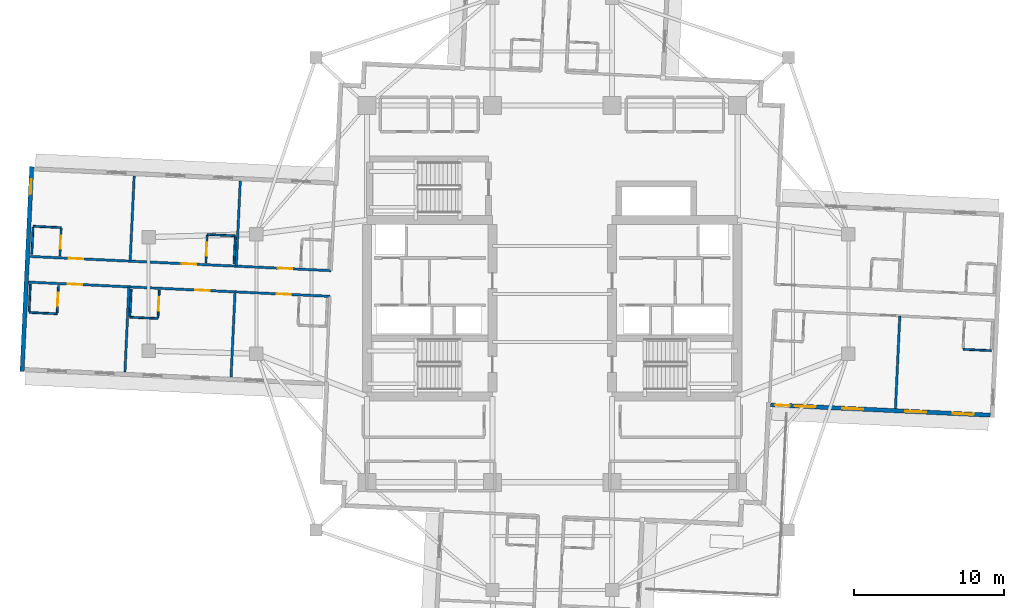
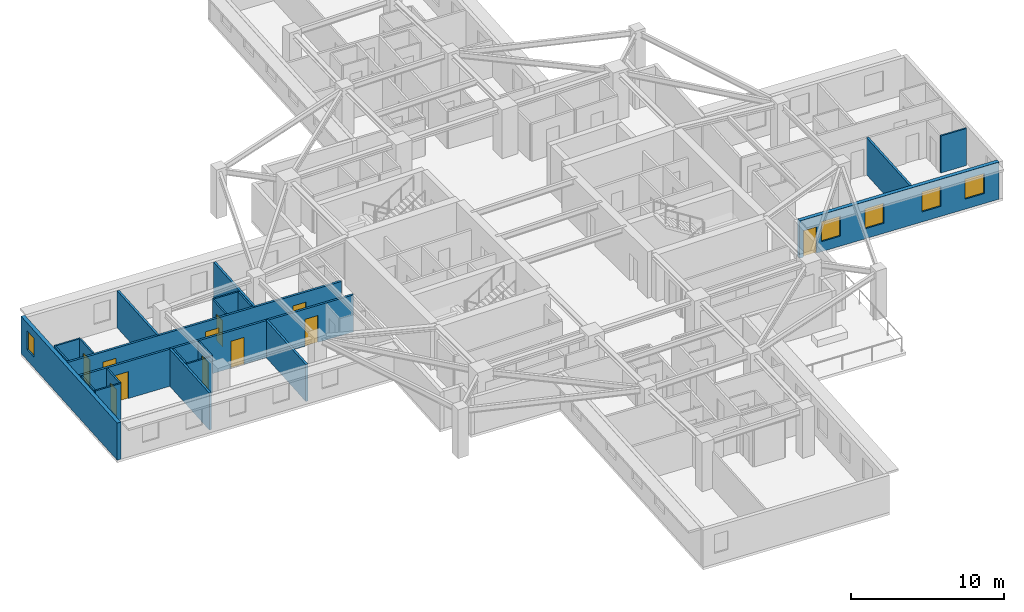
# One storey, part 5 of 14: 22 walls, 11 doors, 5 windows, 16 openings.
"""IFC4 building model written with IfcOpenShell, lengths in metres."""

import ifcopenshell
import ifcopenshell.guid

model = None  # the IFC model being written
_history = None  # IfcOwnerHistory: only IFC2X3 demands one
_inside = {}  # id of a spatial element -> (the spatial element, [elements in it])
_under = {}  # id of a project, library or spatial element -> (it, [spatial elements below it])
_declared = {}  # id of a project -> (the project, [libraries it declares])
_typed = {}  # id of a type object -> (the type object, [elements of that type])
_made_of = {}  # id of a material, layer set ... -> (it, [elements and type objects made of it])


def new_model(schema):
    """Start an empty IFC model of exactly this schema.

    Asked for "IFC4X3", IfcOpenShell would pick the latest addendum, in which some entities
    have other attributes; the version numbers below select the first issue.
    IFC2X3 requires an IfcOwnerHistory on every rooted entity: one is made here for all.
    """
    global model, _history
    if schema == "IFC4X3":
        model = ifcopenshell.file(schema_version=(4, 3, 0, 0))
    else:
        model = ifcopenshell.file(schema=schema)
    _inside.clear()
    _under.clear()
    _declared.clear()
    _typed.clear()
    _made_of.clear()
    _history = None
    if model.schema == "IFC2X3":
        org = make("IfcOrganization", Name="unknown")
        user = make(
            "IfcPersonAndOrganization",
            ThePerson=make("IfcPerson", FamilyName="unknown"),
            TheOrganization=org,
        )
        app = make(
            "IfcApplication",
            ApplicationDeveloper=org,
            Version="unknown",
            ApplicationFullName="unknown",
            ApplicationIdentifier="unknown",
        )
        _history = make(
            "IfcOwnerHistory",
            OwningUser=user,
            OwningApplication=app,
            ChangeAction="ADDED",
            CreationDate=0,
        )
    return model


def make(cls, **values):
    """One entity of the class cls with the attributes given. An attribute that is None is left unset."""
    return model.create_entity(
        cls, **{name: value for name, value in values.items() if value is not None}
    )


def rooted(cls, **values):
    """An entity with a GlobalId (a new one), such as an element, a storey or a relation."""
    return make(cls, GlobalId=ifcopenshell.guid.new(), OwnerHistory=_history, **values)


def si_unit(unit_type, name, prefix=None):
    """IfcSIUnit, for example si_unit("LENGTHUNIT", "METRE", prefix="MILLI")."""
    return make("IfcSIUnit", UnitType=unit_type, Prefix=prefix, Name=name)


def assignment(units):
    """IfcUnitAssignment: the units of a project."""
    return None if units is None else make("IfcUnitAssignment", Units=units)


def point(xyz):
    """IfcCartesianPoint."""
    return None if xyz is None else make("IfcCartesianPoint", Coordinates=xyz)


def direction(xyz):
    """IfcDirection."""
    return None if xyz is None else make("IfcDirection", DirectionRatios=xyz)


def frame(location, z_axis=None, x_axis=None):
    """IfcAxis2Placement3D, a coordinate frame: its origin and axes. An axis left out is left unset."""
    return make(
        "IfcAxis2Placement3D",
        Location=point(location),
        Axis=direction(z_axis),
        RefDirection=direction(x_axis),
    )


def frame_2d(location, x_axis=None):
    """IfcAxis2Placement2D, a coordinate frame in the plane: its origin and x axis."""
    return make(
        "IfcAxis2Placement2D", Location=point(location), RefDirection=direction(x_axis)
    )


def origin():
    """The frame at (0, 0, 0) with its axes left unset."""
    return frame((0.0, 0.0, 0.0))


def place(relative_to, where):
    """IfcLocalPlacement: puts the frame where relative to a parent placement (None: the world)."""
    return make(
        "IfcLocalPlacement", PlacementRelTo=relative_to, RelativePlacement=where
    )


def context(
    kind, dimensions, precision=None, world=None, true_north=None, identifier=None
):
    """IfcGeometricRepresentationContext, for example the 3D "Model" context."""
    return make(
        "IfcGeometricRepresentationContext",
        ContextIdentifier=identifier,
        ContextType=kind,
        CoordinateSpaceDimension=dimensions,
        Precision=precision,
        WorldCoordinateSystem=world,
        TrueNorth=true_north,
    )


def subcontext(parent, identifier, kind, view, scale=None):
    """IfcGeometricRepresentationSubContext, for example "Body" below "Model"."""
    return make(
        "IfcGeometricRepresentationSubContext",
        ContextIdentifier=identifier,
        ContextType=kind,
        ParentContext=parent,
        TargetScale=scale,
        TargetView=view,
    )


def project(units=None, contexts=None):
    """IfcProject with its units and contexts."""
    return rooted(
        "IfcProject",
        Name="project",
        RepresentationContexts=contexts,
        UnitsInContext=assignment(units),
    )


def spatial(cls, under=None, at=None, **own):
    """A site, building, storey or space (cls), placed at a placement, below another one or the project."""
    s = rooted(cls, ObjectPlacement=at, **own)
    if under is not None:
        _under.setdefault(under.id(), (under, []))[1].append(s)
    return s


def profile(cls, at=None, kind="AREA", **sizes):
    """A parametric profile (cls). Its sizes go by their IFC names, for example OverallWidth=200.0."""
    return make(cls, ProfileType=kind, Position=at, **sizes)


def rectangle(**sizes):
    """IfcRectangleProfileDef."""
    return profile("IfcRectangleProfileDef", **sizes)


def extrude(swept, where, along, depth):
    """IfcExtrudedAreaSolid: the profile swept, set in the frame where, extruded along a direction by depth."""
    return make(
        "IfcExtrudedAreaSolid",
        SweptArea=swept,
        Position=where,
        ExtrudedDirection=direction(along),
        Depth=depth,
    )


def shape(context_of_items, identifier, shape_type, items):
    """IfcShapeRepresentation: the items that make up one representation, for example the "Body"."""
    return make(
        "IfcShapeRepresentation",
        ContextOfItems=context_of_items,
        RepresentationIdentifier=identifier,
        RepresentationType=shape_type,
        Items=items,
    )


def material(Name=None, Category=None):
    """IfcMaterial."""
    return make("IfcMaterial", Name=Name, Category=Category)


def layer(
    of_material, thickness, ventilated=None, Name=None, Category=None, Priority=None
):
    """IfcMaterialLayer: one layer of a wall or slab, of a material (None: an air gap)."""
    return make(
        "IfcMaterialLayer",
        Material=of_material,
        LayerThickness=thickness,
        IsVentilated=ventilated,
        Name=Name,
        Category=Category,
        Priority=Priority,
    )


def layer_set(layers, Name=None):
    """IfcMaterialLayerSet."""
    return make("IfcMaterialLayerSet", MaterialLayers=layers, LayerSetName=Name)


def made_of(thing, what):
    """Note that an element or type object is made of a material, layer set ...; save() writes the relation."""
    if what is not None:
        _made_of.setdefault(what.id(), (what, []))[1].append(thing)
    return thing


def type_object(cls, material=None, **own):
    """A type object (cls), such as IfcWallType, which elements share."""
    return made_of(rooted(cls, **own), material)


def element(
    cls,
    number,
    at=None,
    inside=None,
    cuts=None,
    type_object=None,
    material=None,
    context=None,
    identifier="Body",
    shape_type=None,
    held_by="IfcProductDefinitionShape",
    body=None,
    shapes=None,
    **own,
):
    """One element of the class cls, such as IfcWall. Its Tag is "e" and its number.

    at: its placement. inside: the storey or other place that contains it. cuts: it is an
    opening in that element (IfcRelVoidsElement). A single representation is given by context,
    identifier, shape_type and body (its items); several are given by shapes. held_by: the class
    of the entity that holds the representations. save() writes the other relations.
    """
    e = rooted(cls, Tag="e%d" % number, ObjectPlacement=at, **own)
    if body is not None:
        shapes = [shape(context, identifier, shape_type, body)]
    if shapes is not None:
        e.Representation = make(held_by, Representations=shapes)
    if inside is not None:
        _inside.setdefault(inside.id(), (inside, []))[1].append(e)
    if cuts is not None:
        rooted(
            "IfcRelVoidsElement", RelatingBuildingElement=cuts, RelatedOpeningElement=e
        )
    if type_object is not None:
        _typed.setdefault(type_object.id(), (type_object, []))[1].append(e)
    return made_of(e, material)


def fill(opening, filler):
    """IfcRelFillsElement: the door or window that sits in an opening."""
    return rooted(
        "IfcRelFillsElement",
        RelatingOpeningElement=opening,
        RelatedBuildingElement=filler,
    )


def aggregate(whole, parts):
    """IfcRelAggregates: a whole, such as a stair, and the parts it consists of."""
    return rooted("IfcRelAggregates", RelatingObject=whole, RelatedObjects=parts)


def save(model, path):
    """Write the relations noted so far, then the file.

    IfcRelAggregates (storeys below a building ...), IfcRelContainedInSpatialStructure (elements
    in a storey), IfcRelDefinesByType, IfcRelAssociatesMaterial and IfcRelDeclares: one each for
    every whole, place, type object, material and project.
    """
    for whole, parts in _under.values():
        aggregate(whole, parts)
    for where, things in _inside.values():
        rooted(
            "IfcRelContainedInSpatialStructure",
            RelatedElements=things,
            RelatingStructure=where,
        )
    for kind, things in _typed.values():
        rooted("IfcRelDefinesByType", RelatedObjects=things, RelatingType=kind)
    for what, things in _made_of.values():
        rooted("IfcRelAssociatesMaterial", RelatedObjects=things, RelatingMaterial=what)
    for by, libraries in _declared.values():
        rooted("IfcRelDeclares", RelatingContext=by, RelatedDefinitions=libraries)
    model.write(path)


model = new_model("IFC4")

# Units and contexts
model_context = context("Model", 3, precision=1e-05, world=origin(), true_north=direction((0.0, 1.0)))
body_context = subcontext(model_context, "Body", "Model", "MODEL_VIEW")
ifc_project = project(units=[si_unit("LENGTHUNIT", "METRE"), si_unit("AREAUNIT", "SQUARE_METRE"), si_unit("VOLUMEUNIT", "CUBIC_METRE"), si_unit("PLANEANGLEUNIT", "RADIAN"), si_unit("MASSUNIT", "GRAM", prefix="KILO")], contexts=[model_context])

# Site, building, storey
site_placement = place(None, origin())
site = spatial("IfcSite", under=ifc_project, at=site_placement, CompositionType="ELEMENT")
building_placement = place(site_placement, origin())
building = spatial("IfcBuilding", under=site, at=building_placement, Name="Qingluan Cross Belvedere", CompositionType="ELEMENT")
storey_placement = place(building_placement, frame((0.0, 0.0, 172.199951171875)))
storey = spatial("IfcBuildingStorey", under=building, at=storey_placement, Name="L43", CompositionType="ELEMENT", Elevation=172.199951171875)

# Wall
ifc_material_1 = material(Name="Gypsum plasterboard on steel stud acoustic partition", Category="steel")
ifc_layer_1 = layer(ifc_material_1, 0.159912109375, Name="CorridorPartition_160")
ifc_layer_set_1 = layer_set([ifc_layer_1], Name="Gypsum plasterboard on steel stud acoustic partition")
wall_type_1 = type_object("IfcWallType", Name="CorridorPartition_160", PredefinedType="PARTITIONING", material=ifc_layer_set_1)
wall_1_placement = place(storey_placement, frame((23.2412109375, -1.4765625, 0.0), z_axis=(0.0, 0.0, 1.0), x_axis=(-0.047078081142, -0.998891212433, 0.0)))
element("IfcWall", 1, at=wall_1_placement, inside=storey, type_object=wall_type_1, Name="Partition L43:E:d1_0", PredefinedType="PARTITIONING", context=body_context, shape_type="SweptSolid", body=[
    extrude(rectangle(XDim=6.19189453125, YDim=0.159912109375, at=frame_2d((3.095947265625, 0.0))), origin(), (0.0, 0.0, 1.0), 2.9599609375),
])

# Wall, openings, doors
wall_2_placement = place(storey_placement, frame((-14.79296875, 1.55859375, 0.0), z_axis=(0.0, 0.0, 1.0), x_axis=(-0.998889926753, 0.047105352469, 0.0)))
wall_2 = element("IfcWall", 2, at=wall_2_placement, inside=storey, type_object=wall_type_1, Name="Partition L43:W:c0", PredefinedType="PARTITIONING", context=body_context, shape_type="SweptSolid", body=[
    extrude(rectangle(XDim=20.18212890625, YDim=0.159912109375, at=frame_2d((10.091064453125, 0.0))), origin(), (0.0, 0.0, 1.0), 2.9599609375),
])
opening_1_placement = place(wall_2_placement, frame((2.614990234375, 0.0, 0.0)))
opening_1 = element("IfcOpeningElement", 3, at=opening_1_placement, cuts=wall_2, Name="Opening GD-10", PredefinedType="OPENING", context=body_context, shape_type="SweptSolid", body=[
    extrude(rectangle(XDim=0.9599609375, YDim=2.14990234375, at=frame_2d((0.47998046875, 1.074951171875))), frame((0.0, 0.08984375, 0.0), z_axis=(0.0, -1.0, 0.0), x_axis=(1.0, 0.0, 0.0)), (0.0, 0.0, 1.0), 0.179931640625),
])
opening_2_placement = place(wall_2_placement, frame((9.04296875, 0.0, 0.0)))
opening_2 = element("IfcOpeningElement", 4, at=opening_2_placement, cuts=wall_2, Name="Opening GD-10", PredefinedType="OPENING", context=body_context, shape_type="SweptSolid", body=[
    extrude(rectangle(XDim=0.9599609375, YDim=2.14990234375, at=frame_2d((0.47998046875, 1.074951171875))), frame((0.0, 0.08984375, 0.0), z_axis=(0.0, -1.0, 0.0), x_axis=(1.0, 0.0, 0.0)), (0.0, 0.0, 1.0), 0.179931640625),
])
opening_3_placement = place(wall_2_placement, frame((16.594970703125, 0.0, 0.0)))
opening_3 = element("IfcOpeningElement", 5, at=opening_3_placement, cuts=wall_2, Name="Opening GD-10", PredefinedType="OPENING", context=body_context, shape_type="SweptSolid", body=[
    extrude(rectangle(XDim=0.9599609375, YDim=2.14990234375, at=frame_2d((0.47998046875, 1.074951171875))), frame((0.0, 0.08984375, 0.0), z_axis=(0.0, -1.0, 0.0), x_axis=(1.0, 0.0, 0.0)), (0.0, 0.0, 1.0), 0.179931640625),
])
ifc_material_2 = material(Name="Timber oak fire-rated acoustic guestroom door", Category="wood")
door_type_1 = type_object("IfcDoorType", Name="GuestEntryDoor_FD60", OperationType="NOTDEFINED", PredefinedType="DOOR", material=ifc_material_2)
door_1_placement = place(opening_1_placement, origin())
door_1 = element("IfcDoor", 6, at=door_1_placement, inside=storey, type_object=door_type_1, Name="Guest entry fire door 4305", OperationType="SINGLE_SWING_RIGHT", OverallHeight=2.14990234375, OverallWidth=0.9599609375, PredefinedType="DOOR", context=body_context, shape_type="SweptSolid", body=[
    extrude(rectangle(XDim=0.9599609375, YDim=2.14990234375, at=frame_2d((0.47998046875, 1.074951171875))), frame((0.0, 0.02490234375, 0.0), z_axis=(0.0, -1.0, 0.0), x_axis=(1.0, 0.0, 0.0)), (0.0, 0.0, 1.0), 0.050048828125),
])
fill(opening_1, door_1)
door_2_placement = place(opening_2_placement, origin())
door_2 = element("IfcDoor", 7, at=door_2_placement, inside=storey, type_object=door_type_1, Name="Guest entry fire door 4306", OperationType="SINGLE_SWING_RIGHT", OverallHeight=2.14990234375, OverallWidth=0.9599609375, PredefinedType="DOOR", context=body_context, shape_type="SweptSolid", body=[
    extrude(rectangle(XDim=0.9599609375, YDim=2.14990234375, at=frame_2d((0.47998046875, 1.074951171875))), frame((0.0, 0.02490234375, 0.0), z_axis=(0.0, -1.0, 0.0), x_axis=(1.0, 0.0, 0.0)), (0.0, 0.0, 1.0), 0.050048828125),
])
fill(opening_2, door_2)
door_3_placement = place(opening_3_placement, origin())
door_3 = element("IfcDoor", 8, at=door_3_placement, inside=storey, type_object=door_type_1, Name="Guest entry fire door 4307", OperationType="SINGLE_SWING_RIGHT", OverallHeight=2.14990234375, OverallWidth=0.9599609375, PredefinedType="DOOR", context=body_context, shape_type="SweptSolid", body=[
    extrude(rectangle(XDim=0.9599609375, YDim=2.14990234375, at=frame_2d((0.47998046875, 1.074951171875))), frame((0.0, 0.02490234375, 0.0), z_axis=(0.0, -1.0, 0.0), x_axis=(1.0, 0.0, 0.0)), (0.0, 0.0, 1.0), 0.050048828125),
])
fill(opening_3, door_3)

# Walls
wall_3_placement = place(storey_placement, frame((-21.138916015625, 1.85791015625, 0.0), z_axis=(0.0, 0.0, 1.0), x_axis=(0.047102133785, 0.998890078534, 0.0)))
element("IfcWall", 9, at=wall_3_placement, inside=storey, type_object=wall_type_1, Name="Partition L43:W:d0_0", PredefinedType="PARTITIONING", context=body_context, shape_type="SweptSolid", body=[
    extrude(rectangle(XDim=5.7119140625, YDim=0.159912109375, at=frame_2d((2.85595703125, 0.0))), origin(), (0.0, 0.0, 1.0), 2.9599609375),
])
wall_4_placement = place(storey_placement, frame((-28.236083984375, 2.1923828125, 0.0), z_axis=(0.0, 0.0, 1.0), x_axis=(0.047100122846, 0.998890173356, 0.0)))
element("IfcWall", 10, at=wall_4_placement, inside=storey, type_object=wall_type_1, Name="Partition L43:W:d0_1", PredefinedType="PARTITIONING", context=body_context, shape_type="SweptSolid", body=[
    extrude(rectangle(XDim=5.712158203125, YDim=0.159912109375, at=frame_2d((2.85595703125, 0.0))), origin(), (0.0, 0.0, 1.0), 2.9599609375),
])

# Wall, openings, doors
wall_5_placement = place(storey_placement, frame((-14.8740234375, -0.159423828125, 0.0), z_axis=(0.0, 0.0, 1.0), x_axis=(-0.998889926753, 0.047105352469, 0.0)))
wall_5 = element("IfcWall", 11, at=wall_5_placement, inside=storey, type_object=wall_type_1, Name="Partition L43:W:c1", PredefinedType="PARTITIONING", context=body_context, shape_type="SweptSolid", body=[
    extrude(rectangle(XDim=20.18212890625, YDim=0.159912109375, at=frame_2d((10.091064453125, 0.0))), origin(), (0.0, 0.0, 1.0), 2.9599609375),
])
opening_4_placement = place(wall_5_placement, frame((2.614990234375, 0.0, 0.0)))
opening_4 = element("IfcOpeningElement", 12, at=opening_4_placement, cuts=wall_5, Name="Opening GD-10", PredefinedType="OPENING", context=body_context, shape_type="SweptSolid", body=[
    extrude(rectangle(XDim=0.9599609375, YDim=2.14990234375, at=frame_2d((0.47998046875, 1.074951171875))), frame((0.0, 0.08984375, 0.0), z_axis=(0.0, -1.0, 0.0), x_axis=(1.0, 0.0, 0.0)), (0.0, 0.0, 1.0), 0.179931640625),
])
opening_5_placement = place(wall_5_placement, frame((8.054931640625, 0.0, 0.0)))
opening_5 = element("IfcOpeningElement", 13, at=opening_5_placement, cuts=wall_5, Name="Opening GD-10", PredefinedType="OPENING", context=body_context, shape_type="SweptSolid", body=[
    extrude(rectangle(XDim=0.9599609375, YDim=2.14990234375, at=frame_2d((0.47998046875, 1.074951171875))), frame((0.0, 0.08984375, 0.0), z_axis=(0.0, -1.0, 0.0), x_axis=(1.0, 0.0, 0.0)), (0.0, 0.0, 1.0), 0.179931640625),
])
opening_6_placement = place(wall_5_placement, frame((16.594970703125, 0.0, 0.0)))
opening_6 = element("IfcOpeningElement", 14, at=opening_6_placement, cuts=wall_5, Name="Opening GD-10", PredefinedType="OPENING", context=body_context, shape_type="SweptSolid", body=[
    extrude(rectangle(XDim=0.9599609375, YDim=2.14990234375, at=frame_2d((0.47998046875, 1.074951171875))), frame((0.0, 0.08984375, 0.0), z_axis=(0.0, -1.0, 0.0), x_axis=(1.0, 0.0, 0.0)), (0.0, 0.0, 1.0), 0.179931640625),
])
door_4_placement = place(opening_4_placement, origin())
door_4 = element("IfcDoor", 15, at=door_4_placement, inside=storey, type_object=door_type_1, Name="Guest entry fire door 4308", OperationType="SINGLE_SWING_RIGHT", OverallHeight=2.14990234375, OverallWidth=0.9599609375, PredefinedType="DOOR", context=body_context, shape_type="SweptSolid", body=[
    extrude(rectangle(XDim=0.9599609375, YDim=2.14990234375, at=frame_2d((0.47998046875, 1.074951171875))), frame((0.0, 0.02490234375, 0.0), z_axis=(0.0, -1.0, 0.0), x_axis=(1.0, 0.0, 0.0)), (0.0, 0.0, 1.0), 0.050048828125),
])
fill(opening_4, door_4)
door_5_placement = place(opening_5_placement, origin())
door_5 = element("IfcDoor", 16, at=door_5_placement, inside=storey, type_object=door_type_1, Name="Guest entry fire door 4309", OperationType="SINGLE_SWING_RIGHT", OverallHeight=2.14990234375, OverallWidth=0.9599609375, PredefinedType="DOOR", context=body_context, shape_type="SweptSolid", body=[
    extrude(rectangle(XDim=0.9599609375, YDim=2.14990234375, at=frame_2d((0.47998046875, 1.074951171875))), frame((0.0, 0.02490234375, 0.0), z_axis=(0.0, -1.0, 0.0), x_axis=(1.0, 0.0, 0.0)), (0.0, 0.0, 1.0), 0.050048828125),
])
fill(opening_5, door_5)
door_6_placement = place(opening_6_placement, origin())
door_6 = element("IfcDoor", 17, at=door_6_placement, inside=storey, type_object=door_type_1, Name="Guest entry fire door 4310", OperationType="SINGLE_SWING_RIGHT", OverallHeight=2.14990234375, OverallWidth=0.9599609375, PredefinedType="DOOR", context=body_context, shape_type="SweptSolid", body=[
    extrude(rectangle(XDim=0.9599609375, YDim=2.14990234375, at=frame_2d((0.47998046875, 1.074951171875))), frame((0.0, 0.02490234375, 0.0), z_axis=(0.0, -1.0, 0.0), x_axis=(1.0, 0.0, 0.0)), (0.0, 0.0, 1.0), 0.050048828125),
])
fill(opening_6, door_6)

# Walls
wall_6_placement = place(storey_placement, frame((-21.219970703125, 0.139892578125, 0.0), z_axis=(0.0, 0.0, 1.0), x_axis=(-0.047100122846, -0.998890173356, 0.0)))
element("IfcWall", 18, at=wall_6_placement, inside=storey, type_object=wall_type_1, Name="Partition L43:W:d1_0", PredefinedType="PARTITIONING", context=body_context, shape_type="SweptSolid", body=[
    extrude(rectangle(XDim=5.712158203125, YDim=0.159912109375, at=frame_2d((2.85595703125, 0.0))), origin(), (0.0, 0.0, 1.0), 2.9599609375),
])
wall_7_placement = place(storey_placement, frame((-28.317138671875, 0.474365234375, 0.0), z_axis=(0.0, 0.0, 1.0), x_axis=(-0.047102133785, -0.998890078534, 0.0)))
element("IfcWall", 19, at=wall_7_placement, inside=storey, type_object=wall_type_1, Name="Partition L43:W:d1_1", PredefinedType="PARTITIONING", context=body_context, shape_type="SweptSolid", body=[
    extrude(rectangle(XDim=5.7119140625, YDim=0.159912109375, at=frame_2d((2.85595703125, 0.0))), origin(), (0.0, 0.0, 1.0), 2.9599609375),
])
ifc_material_3 = material(Name="Moisture-resistant gypsum board lining")
ifc_layer_2 = layer(ifc_material_3, 0.1201171875, Name="EnsuiteWetPartition_120")
ifc_layer_set_2 = layer_set([ifc_layer_2], Name="Moisture-resistant gypsum board lining")
wall_type_2 = type_object("IfcWallType", Name="EnsuiteWetPartition_120", PredefinedType="PARTITIONING", material=ifc_layer_set_2)
wall_8_placement = place(storey_placement, frame((27.47607421875, -3.703369140625, 0.0), z_axis=(0.0, 0.0, 1.0), x_axis=(0.998888319371, -0.047139425368, 0.0)))
element("IfcWall", 20, at=wall_8_placement, inside=storey, type_object=wall_type_2, Name="Partition L43:E:bc1_1", PredefinedType="PARTITIONING", context=body_context, shape_type="SweptSolid", body=[
    extrude(rectangle(XDim=1.880126953125, YDim=0.1201171875, at=frame_2d((0.93994140625, 0.0))), origin(), (0.0, 0.0, 1.0), 2.9599609375),
])

# Wall, opening, door
wall_9_placement = place(storey_placement, frame((-23.170166015625, 2.09375, 0.0), z_axis=(0.0, 0.0, 1.0), x_axis=(0.047080807099, 0.998891083954, 0.0)))
wall_9 = element("IfcWall", 21, at=wall_9_placement, inside=storey, type_object=wall_type_2, Name="Partition L43:W:bs0_1", PredefinedType="PARTITIONING", context=body_context, shape_type="SweptSolid", body=[
    extrude(rectangle(XDim=1.820068359375, YDim=0.1201171875, at=frame_2d((0.91015625, 0.0))), origin(), (0.0, 0.0, 1.0), 2.9599609375),
])
opening_7_placement = place(wall_9_placement, frame((0.469970703125, 0.0, 0.0)))
opening_7 = element("IfcOpeningElement", 22, at=opening_7_placement, cuts=wall_9, Name="Opening BD-09", PredefinedType="OPENING", context=body_context, shape_type="SweptSolid", body=[
    extrude(rectangle(XDim=0.8798828125, YDim=2.10009765625, at=frame_2d((0.43994140625, 1.050048828125))), frame((0.0, 0.070068359375, 0.0), z_axis=(0.0, -1.0, 0.0), x_axis=(1.0, 0.0, 0.0)), (0.0, 0.0, 1.0), 0.14013671875),
])
ifc_material_4 = material(Name="Moisture-sealed timber en-suite door", Category="wood")
door_type_2 = type_object("IfcDoorType", Name="BathroomDoor_880", OperationType="NOTDEFINED", PredefinedType="DOOR", material=ifc_material_4)
door_7_placement = place(opening_7_placement, origin())
door_7 = element("IfcDoor", 23, at=door_7_placement, inside=storey, type_object=door_type_2, Name="Bathroom door 4306", OperationType="SINGLE_SWING_LEFT", OverallHeight=2.10009765625, OverallWidth=0.8798828125, PredefinedType="DOOR", context=body_context, shape_type="SweptSolid", body=[
    extrude(rectangle(XDim=0.8798828125, YDim=2.10009765625, at=frame_2d((0.43994140625, 1.050048828125))), frame((0.0, 0.02490234375, 0.0), z_axis=(0.0, -1.0, 0.0), x_axis=(1.0, 0.0, 0.0)), (0.0, 0.0, 1.0), 0.050048828125),
])
fill(opening_7, door_7)

# Walls
wall_10_placement = place(storey_placement, frame((-21.292236328125, 2.005126953125, 0.0), z_axis=(0.0, 0.0, 1.0), x_axis=(0.047214641863, 0.998884766924, 0.0)))
element("IfcWall", 24, at=wall_10_placement, inside=storey, type_object=wall_type_2, Name="Partition L43:W:bw0_1", PredefinedType="PARTITIONING", context=body_context, shape_type="SweptSolid", body=[
    extrude(rectangle(XDim=1.820068359375, YDim=0.1201171875, at=frame_2d((0.91015625, 0.0))), origin(), (0.0, 0.0, 1.0), 2.9599609375),
])
wall_11_placement = place(storey_placement, frame((-21.203369140625, 3.88818359375, 0.0), z_axis=(0.0, 0.0, 1.0), x_axis=(-0.998888319371, 0.047139425368, 0.0)))
element("IfcWall", 25, at=wall_11_placement, inside=storey, type_object=wall_type_2, Name="Partition L43:W:bn0_1", PredefinedType="PARTITIONING", context=body_context, shape_type="SweptSolid", body=[
    extrude(rectangle(XDim=1.880126953125, YDim=0.1201171875, at=frame_2d((0.93994140625, 0.0))), origin(), (0.0, 0.0, 1.0), 2.9599609375),
])

# Wall, opening, door
wall_12_placement = place(storey_placement, frame((-32.936279296875, 2.55419921875, 0.0), z_axis=(0.0, 0.0, 1.0), x_axis=(0.047080807099, 0.998891083954, 0.0)))
wall_12 = element("IfcWall", 26, at=wall_12_placement, inside=storey, type_object=wall_type_2, Name="Partition L43:W:bs0_2", PredefinedType="PARTITIONING", context=body_context, shape_type="SweptSolid", body=[
    extrude(rectangle(XDim=1.820068359375, YDim=0.1201171875, at=frame_2d((0.91015625, 0.0))), origin(), (0.0, 0.0, 1.0), 2.9599609375),
])
opening_8_placement = place(wall_12_placement, frame((0.469970703125, 0.0, 0.0)))
opening_8 = element("IfcOpeningElement", 27, at=opening_8_placement, cuts=wall_12, Name="Opening BD-09", PredefinedType="OPENING", context=body_context, shape_type="SweptSolid", body=[
    extrude(rectangle(XDim=0.8798828125, YDim=2.10009765625, at=frame_2d((0.43994140625, 1.050048828125))), frame((0.0, 0.070068359375, 0.0), z_axis=(0.0, -1.0, 0.0), x_axis=(1.0, 0.0, 0.0)), (0.0, 0.0, 1.0), 0.14013671875),
])
door_8_placement = place(opening_8_placement, origin())
door_8 = element("IfcDoor", 28, at=door_8_placement, inside=storey, type_object=door_type_2, Name="Bathroom door 4307", OperationType="SINGLE_SWING_LEFT", OverallHeight=2.10009765625, OverallWidth=0.8798828125, PredefinedType="DOOR", context=body_context, shape_type="SweptSolid", body=[
    extrude(rectangle(XDim=0.8798828125, YDim=2.10009765625, at=frame_2d((0.43994140625, 1.050048828125))), frame((0.0, 0.02490234375, 0.0), z_axis=(0.0, -1.0, 0.0), x_axis=(1.0, 0.0, 0.0)), (0.0, 0.0, 1.0), 0.050048828125),
])
fill(opening_8, door_8)

# Walls
wall_13_placement = place(storey_placement, frame((-34.814208984375, 2.642822265625, 0.0), z_axis=(0.0, 0.0, 1.0), x_axis=(0.047080807099, 0.998891083954, 0.0)))
element("IfcWall", 29, at=wall_13_placement, inside=storey, type_object=wall_type_2, Name="Partition L43:W:bw0_2", PredefinedType="PARTITIONING", context=body_context, shape_type="SweptSolid", body=[
    extrude(rectangle(XDim=1.820068359375, YDim=0.1201171875, at=frame_2d((0.91015625, 0.0))), origin(), (0.0, 0.0, 1.0), 2.9599609375),
])
wall_14_placement = place(storey_placement, frame((-32.847412109375, 4.437255859375, 0.0), z_axis=(0.0, 0.0, 1.0), x_axis=(-0.998888319371, 0.047139425368, 0.0)))
element("IfcWall", 30, at=wall_14_placement, inside=storey, type_object=wall_type_2, Name="Partition L43:W:bn0_2", PredefinedType="PARTITIONING", context=body_context, shape_type="SweptSolid", body=[
    extrude(rectangle(XDim=1.880126953125, YDim=0.1201171875, at=frame_2d((0.93994140625, 0.0))), origin(), (0.0, 0.0, 1.0), 2.9599609375),
])

# Wall, opening, door
wall_15_placement = place(storey_placement, frame((-26.37158203125, -1.57958984375, 0.0), z_axis=(0.0, 0.0, 1.0), x_axis=(0.047080807099, 0.998891083954, 0.0)))
wall_15 = element("IfcWall", 31, at=wall_15_placement, inside=storey, type_object=wall_type_2, Name="Partition L43:W:bs1_1", PredefinedType="PARTITIONING", context=body_context, shape_type="SweptSolid", body=[
    extrude(rectangle(XDim=1.820068359375, YDim=0.1201171875, at=frame_2d((0.91015625, 0.0))), origin(), (0.0, 0.0, 1.0), 2.9599609375),
])
opening_9_placement = place(wall_15_placement, frame((0.469970703125, 0.0, 0.0)))
opening_9 = element("IfcOpeningElement", 32, at=opening_9_placement, cuts=wall_15, Name="Opening BD-09", PredefinedType="OPENING", context=body_context, shape_type="SweptSolid", body=[
    extrude(rectangle(XDim=0.8798828125, YDim=2.10009765625, at=frame_2d((0.43994140625, 1.050048828125))), frame((0.0, 0.070068359375, 0.0), z_axis=(0.0, -1.0, 0.0), x_axis=(1.0, 0.0, 0.0)), (0.0, 0.0, 1.0), 0.14013671875),
])
door_9_placement = place(opening_9_placement, origin())
door_9 = element("IfcDoor", 33, at=door_9_placement, inside=storey, type_object=door_type_2, Name="Bathroom door 4309", OperationType="SINGLE_SWING_LEFT", OverallHeight=2.10009765625, OverallWidth=0.8798828125, PredefinedType="DOOR", context=body_context, shape_type="SweptSolid", body=[
    extrude(rectangle(XDim=0.8798828125, YDim=2.10009765625, at=frame_2d((0.43994140625, 1.050048828125))), frame((0.0, 0.02490234375, 0.0), z_axis=(0.0, -1.0, 0.0), x_axis=(1.0, 0.0, 0.0)), (0.0, 0.0, 1.0), 0.050048828125),
])
fill(opening_9, door_9)

# Walls
wall_16_placement = place(storey_placement, frame((-28.24951171875, -1.490966796875, 0.0), z_axis=(0.0, 0.0, 1.0), x_axis=(0.047080807099, 0.998891083954, 0.0)))
element("IfcWall", 34, at=wall_16_placement, inside=storey, type_object=wall_type_2, Name="Partition L43:W:bw1_1", PredefinedType="PARTITIONING", context=body_context, shape_type="SweptSolid", body=[
    extrude(rectangle(XDim=1.820068359375, YDim=0.1201171875, at=frame_2d((0.91015625, 0.0))), origin(), (0.0, 0.0, 1.0), 2.9599609375),
])
wall_17_placement = place(storey_placement, frame((-26.374755859375, -1.644287109375, 0.0), z_axis=(0.0, 0.0, 1.0), x_axis=(-0.998894425757, 0.04700985207, 0.0)))
element("IfcWall", 35, at=wall_17_placement, inside=storey, type_object=wall_type_2, Name="Partition L43:W:bc1_1", PredefinedType="PARTITIONING", context=body_context, shape_type="SweptSolid", body=[
    extrude(rectangle(XDim=1.880126953125, YDim=0.1201171875, at=frame_2d((0.93994140625, 0.0))), origin(), (0.0, 0.0, 1.0), 2.9599609375),
])

# Wall, opening, door
wall_18_placement = place(storey_placement, frame((-33.1162109375, -1.261474609375, 0.0), z_axis=(0.0, 0.0, 1.0), x_axis=(0.047080807099, 0.998891083954, 0.0)))
wall_18 = element("IfcWall", 36, at=wall_18_placement, inside=storey, type_object=wall_type_2, Name="Partition L43:W:bs1_2", PredefinedType="PARTITIONING", context=body_context, shape_type="SweptSolid", body=[
    extrude(rectangle(XDim=1.820068359375, YDim=0.1201171875, at=frame_2d((0.91015625, 0.0))), origin(), (0.0, 0.0, 1.0), 2.9599609375),
])
opening_10_placement = place(wall_18_placement, frame((0.469970703125, 0.0, 0.0)))
opening_10 = element("IfcOpeningElement", 37, at=opening_10_placement, cuts=wall_18, Name="Opening BD-09", PredefinedType="OPENING", context=body_context, shape_type="SweptSolid", body=[
    extrude(rectangle(XDim=0.8798828125, YDim=2.10009765625, at=frame_2d((0.43994140625, 1.050048828125))), frame((0.0, 0.070068359375, 0.0), z_axis=(0.0, -1.0, 0.0), x_axis=(1.0, 0.0, 0.0)), (0.0, 0.0, 1.0), 0.14013671875),
])
door_10_placement = place(opening_10_placement, origin())
door_10 = element("IfcDoor", 38, at=door_10_placement, inside=storey, type_object=door_type_2, Name="Bathroom door 4310", OperationType="SINGLE_SWING_LEFT", OverallHeight=2.10009765625, OverallWidth=0.8798828125, PredefinedType="DOOR", context=body_context, shape_type="SweptSolid", body=[
    extrude(rectangle(XDim=0.8798828125, YDim=2.10009765625, at=frame_2d((0.43994140625, 1.050048828125))), frame((0.0, 0.02490234375, 0.0), z_axis=(0.0, -1.0, 0.0), x_axis=(1.0, 0.0, 0.0)), (0.0, 0.0, 1.0), 0.050048828125),
])
fill(opening_10, door_10)

# Walls
wall_19_placement = place(storey_placement, frame((-34.994140625, -1.1728515625, 0.0), z_axis=(0.0, 0.0, 1.0), x_axis=(0.047087116047, 0.998890786574, 0.0)))
element("IfcWall", 39, at=wall_19_placement, inside=storey, type_object=wall_type_2, Name="Partition L43:W:bw1_2", PredefinedType="PARTITIONING", context=body_context, shape_type="SweptSolid", body=[
    extrude(rectangle(XDim=1.81982421875, YDim=0.1201171875, at=frame_2d((0.909912109375, 0.0))), origin(), (0.0, 0.0, 1.0), 2.9599609375),
])
wall_20_placement = place(storey_placement, frame((-33.119140625, -1.326416015625, 0.0), z_axis=(0.0, 0.0, 1.0), x_axis=(-0.998888607882, 0.047133311408, 0.0)))
element("IfcWall", 40, at=wall_20_placement, inside=storey, type_object=wall_type_2, Name="Partition L43:W:bc1_2", PredefinedType="PARTITIONING", context=body_context, shape_type="SweptSolid", body=[
    extrude(rectangle(XDim=1.88037109375, YDim=0.1201171875, at=frame_2d((0.940185546875, 0.0))), origin(), (0.0, 0.0, 1.0), 2.9599609375),
])

# Wall, openings, windows, door
ifc_material_5 = material(Name="Precast concrete C45", Category="concrete")
ifc_layer_3 = layer(ifc_material_5, 0.280029296875, Name="PrecastFacadeWall_280")
ifc_layer_set_3 = layer_set([ifc_layer_3], Name="Precast concrete C45")
wall_type_3 = type_object("IfcWallType", Name="PrecastFacadeWall_280", PredefinedType="STANDARD", material=ifc_layer_set_3)
wall_21_placement = place(storey_placement, frame((14.60693359375, -7.416259765625, 0.0), z_axis=(0.0, 0.0, 1.0), x_axis=(0.998889342735, -0.047117735191, 0.0)))
wall_21 = element("IfcWall", 41, at=wall_21_placement, inside=storey, type_object=wall_type_3, Name="Facade wall L43-EA", PredefinedType="STANDARD", context=body_context, shape_type="SweptSolid", body=[
    extrude(rectangle(XDim=14.699951171875, YDim=0.280029296875, at=frame_2d((7.35009765625, 0.0))), origin(), (0.0, 0.0, 1.0), 2.969970703125),
])
opening_11_placement = place(wall_21_placement, frame((1.60009765625, 0.0, 0.800048828125)))
opening_11 = element("IfcOpeningElement", 42, at=opening_11_placement, cuts=wall_21, Name="Opening W-01", PredefinedType="OPENING", context=body_context, shape_type="SweptSolid", body=[
    extrude(rectangle(XDim=1.39990234375, YDim=1.60009765625, at=frame_2d((0.699951171875, 0.800048828125))), frame((0.0, 0.14990234375, 0.0), z_axis=(0.0, -1.0, 0.0), x_axis=(1.0, 0.0, 0.0)), (0.0, 0.0, 1.0), 0.300048828125),
])
opening_12_placement = place(wall_21_placement, frame((4.800048828125, 0.0, 0.800048828125)))
opening_12 = element("IfcOpeningElement", 43, at=opening_12_placement, cuts=wall_21, Name="Opening W-01", PredefinedType="OPENING", context=body_context, shape_type="SweptSolid", body=[
    extrude(rectangle(XDim=1.39990234375, YDim=1.60009765625, at=frame_2d((0.699951171875, 0.800048828125))), frame((0.0, 0.14990234375, 0.0), z_axis=(0.0, -1.0, 0.0), x_axis=(1.0, 0.0, 0.0)), (0.0, 0.0, 1.0), 0.300048828125),
])
opening_13_placement = place(wall_21_placement, frame((9.0, 0.0, 0.800048828125)))
opening_13 = element("IfcOpeningElement", 44, at=opening_13_placement, cuts=wall_21, Name="Opening W-01", PredefinedType="OPENING", context=body_context, shape_type="SweptSolid", body=[
    extrude(rectangle(XDim=1.39990234375, YDim=1.60009765625, at=frame_2d((0.699951171875, 0.800048828125))), frame((0.0, 0.14990234375, 0.0), z_axis=(0.0, -1.0, 0.0), x_axis=(1.0, 0.0, 0.0)), (0.0, 0.0, 1.0), 0.300048828125),
])
opening_14_placement = place(wall_21_placement, frame((12.199951171875, 0.0, 0.800048828125)))
opening_14 = element("IfcOpeningElement", 45, at=opening_14_placement, cuts=wall_21, Name="Opening W-01", PredefinedType="OPENING", context=body_context, shape_type="SweptSolid", body=[
    extrude(rectangle(XDim=1.39990234375, YDim=1.60009765625, at=frame_2d((0.699951171875, 0.800048828125))), frame((0.0, 0.14990234375, 0.0), z_axis=(0.0, -1.0, 0.0), x_axis=(1.0, 0.0, 0.0)), (0.0, 0.0, 1.0), 0.300048828125),
])
opening_15_placement = place(wall_21_placement, frame((0.300048828125, 0.0, 0.0)))
opening_15 = element("IfcOpeningElement", 46, at=opening_15_placement, cuts=wall_21, Name="Opening WD-10", PredefinedType="OPENING", context=body_context, shape_type="SweptSolid", body=[
    extrude(rectangle(XDim=0.9599609375, YDim=2.10009765625, at=frame_2d((0.47998046875, 1.050048828125))), frame((0.0, 0.14990234375, 0.0), z_axis=(0.0, -1.0, 0.0), x_axis=(1.0, 0.0, 0.0)), (0.0, 0.0, 1.0), 0.300048828125),
])
ifc_material_6 = material(Name="Thermally broken triple Low-E glass in aluminium frame", Category="aluminium")
window_type_1 = type_object("IfcWindowType", Name="TriRibbonWin_1400x1600", PartitioningType="SINGLE_PANEL", PredefinedType="WINDOW", material=ifc_material_6)
window_1_placement = place(opening_11_placement, origin())
window_1 = element("IfcWindow", 47, at=window_1_placement, inside=storey, type_object=window_type_1, Name="Ribbon window L43-EA-1", OverallHeight=1.60009765625, OverallWidth=1.39990234375, PartitioningType="SINGLE_PANEL", PredefinedType="WINDOW", context=body_context, shape_type="SweptSolid", body=[
    extrude(rectangle(XDim=1.39990234375, YDim=1.60009765625, at=frame_2d((0.699951171875, 0.800048828125))), frame((0.0, 0.030029296875, 0.0), z_axis=(0.0, -1.0, 0.0), x_axis=(1.0, 0.0, 0.0)), (0.0, 0.0, 1.0), 0.06005859375),
])
fill(opening_11, window_1)
window_2_placement = place(opening_12_placement, origin())
window_2 = element("IfcWindow", 48, at=window_2_placement, inside=storey, type_object=window_type_1, Name="Ribbon window L43-EA-2", OverallHeight=1.60009765625, OverallWidth=1.39990234375, PartitioningType="SINGLE_PANEL", PredefinedType="WINDOW", context=body_context, shape_type="SweptSolid", body=[
    extrude(rectangle(XDim=1.39990234375, YDim=1.60009765625, at=frame_2d((0.699951171875, 0.800048828125))), frame((0.0, 0.030029296875, 0.0), z_axis=(0.0, -1.0, 0.0), x_axis=(1.0, 0.0, 0.0)), (0.0, 0.0, 1.0), 0.06005859375),
])
fill(opening_12, window_2)
window_3_placement = place(opening_13_placement, origin())
window_3 = element("IfcWindow", 49, at=window_3_placement, inside=storey, type_object=window_type_1, Name="Ribbon window L43-EA-3", OverallHeight=1.60009765625, OverallWidth=1.39990234375, PartitioningType="SINGLE_PANEL", PredefinedType="WINDOW", context=body_context, shape_type="SweptSolid", body=[
    extrude(rectangle(XDim=1.39990234375, YDim=1.60009765625, at=frame_2d((0.699951171875, 0.800048828125))), frame((0.0, 0.030029296875, 0.0), z_axis=(0.0, -1.0, 0.0), x_axis=(1.0, 0.0, 0.0)), (0.0, 0.0, 1.0), 0.06005859375),
])
fill(opening_13, window_3)
window_4_placement = place(opening_14_placement, origin())
window_4 = element("IfcWindow", 50, at=window_4_placement, inside=storey, type_object=window_type_1, Name="Ribbon window L43-EA-4", OverallHeight=1.60009765625, OverallWidth=1.39990234375, PartitioningType="SINGLE_PANEL", PredefinedType="WINDOW", context=body_context, shape_type="SweptSolid", body=[
    extrude(rectangle(XDim=1.39990234375, YDim=1.60009765625, at=frame_2d((0.699951171875, 0.800048828125))), frame((0.0, 0.030029296875, 0.0), z_axis=(0.0, -1.0, 0.0), x_axis=(1.0, 0.0, 0.0)), (0.0, 0.0, 1.0), 0.06005859375),
])
fill(opening_14, window_4)
ifc_material_7 = material(Name="Thermally broken aluminium and Low-E glass", Category="aluminium")
door_type_3 = type_object("IfcDoorType", Name="WinterGardenDoor_096", OperationType="NOTDEFINED", PredefinedType="DOOR", material=ifc_material_7)
door_11_placement = place(opening_15_placement, origin())
door_11 = element("IfcDoor", 51, at=door_11_placement, inside=storey, type_object=door_type_3, Name="Outdoor terrace access door L43-spi", OperationType="SINGLE_SWING_RIGHT", OverallHeight=2.10009765625, OverallWidth=0.9599609375, PredefinedType="DOOR", context=body_context, shape_type="SweptSolid", body=[
    extrude(rectangle(XDim=0.9599609375, YDim=2.10009765625, at=frame_2d((0.47998046875, 1.050048828125))), frame((0.0, 0.02490234375, 0.0), z_axis=(0.0, -1.0, 0.0), x_axis=(1.0, 0.0, 0.0)), (0.0, 0.0, 1.0), 0.050048828125),
])
fill(opening_15, door_11)

# Wall, opening, window
wall_22_placement = place(storey_placement, frame((-34.81787109375, 8.509521484375, 0.0), z_axis=(0.0, 0.0, 1.0), x_axis=(-0.047101845086, -0.998890092147, 0.0)))
wall_22 = element("IfcWall", 52, at=wall_22_placement, inside=storey, type_object=wall_type_3, Name="Arm tip precast facade wall L43-W", PredefinedType="STANDARD", context=body_context, shape_type="SweptSolid", body=[
    extrude(rectangle(XDim=13.719970703125, YDim=0.280029296875, at=frame_2d((6.85986328125, 0.0))), origin(), (0.0, 0.0, 1.0), 2.969970703125),
])
opening_16_placement = place(wall_22_placement, frame((0.85009765625, 0.0, 0.85009765625)))
opening_16 = element("IfcOpeningElement", 53, at=opening_16_placement, cuts=wall_22, Name="Opening W-03", PredefinedType="OPENING", context=body_context, shape_type="SweptSolid", body=[
    extrude(rectangle(XDim=1.0, YDim=1.5, at=frame_2d((0.5, 0.75))), frame((0.0, 0.14990234375, 0.0), z_axis=(0.0, -1.0, 0.0), x_axis=(1.0, 0.0, 0.0)), (0.0, 0.0, 1.0), 0.300048828125),
])
ifc_material_8 = material(Name="Thermally broken triple Low-E glass in aluminium frame", Category="aluminium")
window_type_2 = type_object("IfcWindowType", Name="TriApexWin_1000x1500", PartitioningType="SINGLE_PANEL", PredefinedType="WINDOW", material=ifc_material_8)
window_5_placement = place(opening_16_placement, origin())
window_5 = element("IfcWindow", 54, at=window_5_placement, inside=storey, type_object=window_type_2, Name="Arm tip triangular window L43-W", OverallHeight=1.5, OverallWidth=1.0, PartitioningType="SINGLE_PANEL", PredefinedType="WINDOW", context=body_context, shape_type="SweptSolid", body=[
    extrude(rectangle(XDim=1.0, YDim=1.5, at=frame_2d((0.5, 0.75))), frame((0.0, 0.030029296875, 0.0), z_axis=(0.0, -1.0, 0.0), x_axis=(1.0, 0.0, 0.0)), (0.0, 0.0, 1.0), 0.06005859375),
])
fill(opening_16, window_5)

save(model, "model.ifc")
